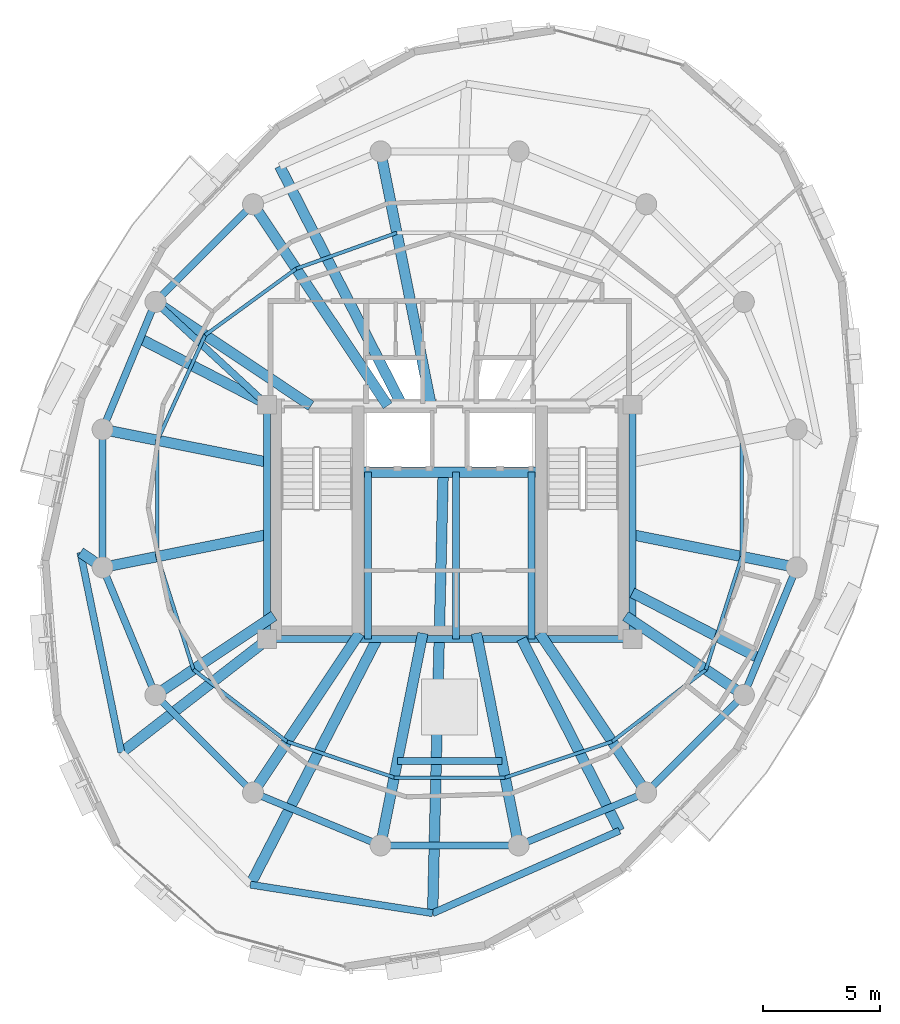
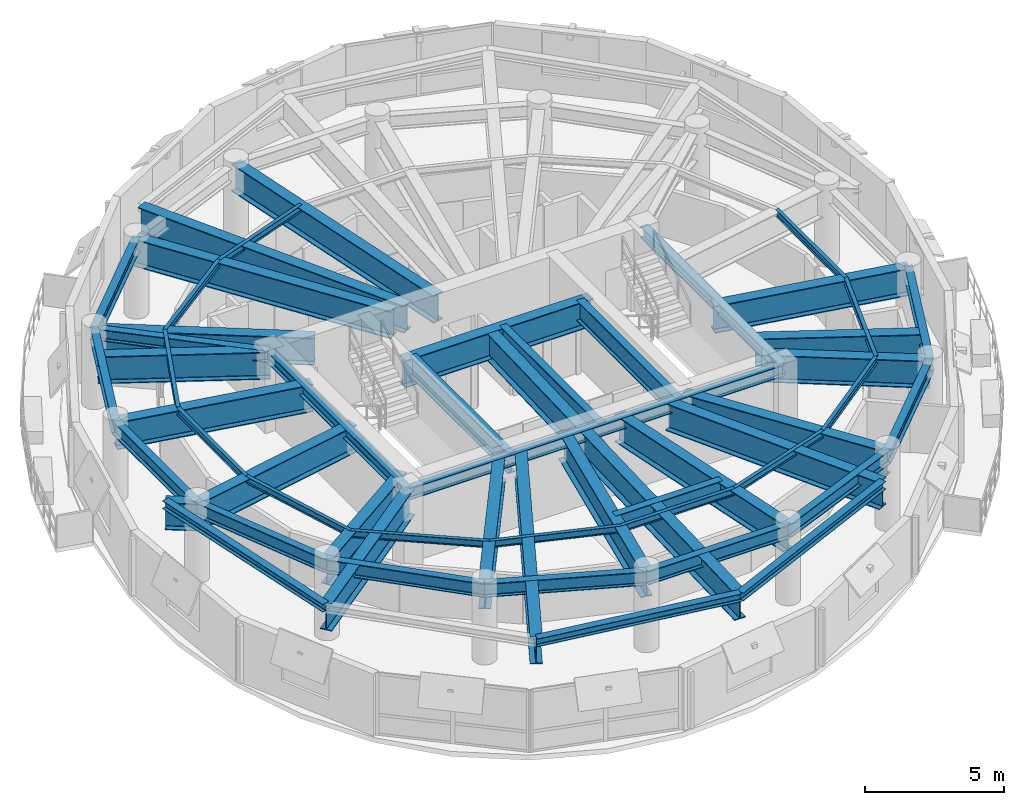
# One storey, part 3 of 11: 54 beams.
"""IFC4 building model written with IfcOpenShell, lengths in metres."""

from ifc_helpers import new_model, si_unit, direction, frame, origin, origin_2d, place, context, subcontext, project, spatial, i_section, extrude, material, material_profile, profile_set, type_object, element, save


model = new_model("IFC4")

# Units and contexts
model_context = context("Model", 3, precision=1e-05, world=origin(), true_north=direction((0.0, 1.0)))
body_context = subcontext(model_context, "Body", "Model", "MODEL_VIEW")
ifc_project = project(units=[si_unit("LENGTHUNIT", "METRE"), si_unit("AREAUNIT", "SQUARE_METRE"), si_unit("VOLUMEUNIT", "CUBIC_METRE"), si_unit("PLANEANGLEUNIT", "RADIAN"), si_unit("MASSUNIT", "GRAM", prefix="KILO"), si_unit("THERMODYNAMICTEMPERATUREUNIT", "KELVIN"), si_unit("POWERUNIT", "WATT")], contexts=[model_context])

# Site, building, storey
site_placement = place(None, origin())
site = spatial("IfcSite", under=ifc_project, at=site_placement, CompositionType="ELEMENT")
building_placement = place(site_placement, origin())
building = spatial("IfcBuilding", under=site, at=building_placement, Name="Ocrelia Relay Tower", CompositionType="ELEMENT")
storey_placement = place(building_placement, frame((0.0, 0.0, 284.39990234375)))
storey = spatial("IfcBuildingStorey", under=building, at=storey_placement, Name="L71", CompositionType="ELEMENT", Elevation=284.39990234375)

# Beams
ifc_material = material(Name="Steel S355", Category="steel")
ifc_material_profile_1 = material_profile(ifc_material, i_section(OverallWidth=0.300048828125, OverallDepth=0.35009765625, WebThickness=0.010009765625, FlangeThickness=0.017578125, FilletRadius=0.027099609375, at=origin_2d()), Name="HEA 360")
ifc_profile_set_1 = profile_set([ifc_material_profile_1], Name="Steel S355")
beam_type_1 = type_object("IfcBeamType", Name="BM-HEA360", PredefinedType="SPANDREL", material=ifc_profile_set_1)
beam_1_placement = place(storey_placement, frame((18.240966796875, 23.6962890625, 3.175048828125), z_axis=(0.200512885634, -0.979691064925, 0.0), x_axis=(0.979691064925, 0.200512885634, 0.0)))
element("IfcBeam", 1, at=beam_1_placement, inside=storey, type_object=beam_type_1, Name="Crown Base Perimeter Ring Beam CBR05", PredefinedType="SPANDREL", context=body_context, shape_type="SweptSolid", body=[
    extrude(i_section(OverallWidth=0.300048828125, OverallDepth=0.35009765625, WebThickness=0.010009765625, FlangeThickness=0.017578125, FilletRadius=0.027099609375, at=origin_2d()), origin(), (0.0, 0.0, 1.0), 8.72021484375),
])
beam_2_placement = place(storey_placement, frame((25.4921875, 9.51611328125, 3.175048828125), z_axis=(0.987934500779, -0.15487227696, 0.0), x_axis=(0.15487227696, 0.987934500779, 0.0)))
element("IfcBeam", 2, at=beam_2_placement, inside=storey, type_object=beam_type_1, Name="Crown Base Perimeter Ring Beam CBR07", PredefinedType="SPANDREL", context=body_context, shape_type="SweptSolid", body=[
    extrude(i_section(OverallWidth=0.300048828125, OverallDepth=0.35009765625, WebThickness=0.010009765625, FlangeThickness=0.017578125, FilletRadius=0.027099609375, at=origin_2d()), origin(), (0.0, 0.0, 1.0), 7.877197265625),
])
beam_3_placement = place(storey_placement, frame((33.2744140625, 8.296142578125, 3.175048828125), z_axis=(0.9147224647, 0.404082680369, 0.0), x_axis=(-0.404082680369, 0.9147224647, 0.0)))
element("IfcBeam", 3, at=beam_3_placement, inside=storey, type_object=beam_type_1, Name="Crown Base Perimeter Ring Beam CBR08", PredefinedType="SPANDREL", context=body_context, shape_type="SweptSolid", body=[
    extrude(i_section(OverallWidth=0.300048828125, OverallDepth=0.35009765625, WebThickness=0.010009765625, FlangeThickness=0.017578125, FilletRadius=0.027099609375, at=origin_2d()), origin(), (0.0, 0.0, 1.0), 8.72021484375),
])
ifc_material_profile_2 = material_profile(ifc_material, i_section(OverallWidth=0.300048828125, OverallDepth=0.5, WebThickness=0.014404296875, FlangeThickness=0.028076171875, FilletRadius=0.027099609375, at=origin_2d()), Name="HEB 500")
ifc_profile_set_2 = profile_set([ifc_material_profile_2], Name="Steel S355")
beam_type_2 = type_object("IfcBeamType", Name="BM-HEB500", PredefinedType="BEAM", material=ifc_profile_set_2)
beam_4_placement = place(storey_placement, frame((26.199951171875, 20.0, 3.10009765625), z_axis=(1.0, 0.0, 0.0), x_axis=(0.0, 1.0, 0.0)))
element("IfcBeam", 4, at=beam_4_placement, inside=storey, type_object=beam_type_2, Name="L71 Core Pilaster Tie Beam S", PredefinedType="BEAM", context=body_context, shape_type="SweptSolid", body=[
    extrude(i_section(OverallWidth=0.300048828125, OverallDepth=0.5, WebThickness=0.014404296875, FlangeThickness=0.028076171875, FilletRadius=0.027099609375, at=origin_2d()), origin(), (0.0, 0.0, 1.0), 15.60009765625),
])
for number, where, z_axis, x_axis, name in (
    (5, (26.199951171875, 20.0, 3.10009765625), (0.0, 1.0, 0.0), (-1.0, 0.0, 0.0), "L71 Core Pilaster Tie Beam W"),
    (6, (41.800048828125, 20.0, 3.10009765625), (0.0, 1.0, 0.0), (-1.0, 0.0, 0.0), "L71 Core Pilaster Tie Beam E"),
):
    element("IfcBeam", number, at=place(storey_placement, frame(where, z_axis=z_axis, x_axis=x_axis)), inside=storey, type_object=beam_type_2, Name=name, PredefinedType="BEAM", context=body_context, shape_type="SweptSolid", body=[
        extrude(i_section(OverallWidth=0.300048828125, OverallDepth=0.5, WebThickness=0.014404296875, FlangeThickness=0.028076171875, FilletRadius=0.027099609375, at=origin_2d()), origin(), (0.0, 0.0, 1.0), 10.0),
    ])
beam_5_placement = place(storey_placement, frame((21.44482421875, 34.38916015625, 3.10009765625), z_axis=(0.734817908666, -0.678264433023, 0.0), x_axis=(0.678264433023, 0.734817908666, 0.0)))
element("IfcBeam", 7, at=beam_5_placement, inside=storey, type_object=beam_type_2, Name="L71 Core Pilaster Frame Tie Beam PT07", PredefinedType="BEAM", context=body_context, shape_type="SweptSolid", body=[
    extrude(i_section(OverallWidth=0.300048828125, OverallDepth=0.5, WebThickness=0.014404296875, FlangeThickness=0.028076171875, FilletRadius=0.027099609375, at=origin_2d()), origin(), (0.0, 0.0, 1.0), 6.47119140625),
])
ifc_material_profile_3 = material_profile(ifc_material, i_section(OverallWidth=0.300048828125, OverallDepth=0.550048828125, WebThickness=0.014892578125, FlangeThickness=0.029052734375, FilletRadius=0.027099609375, at=origin_2d()), Name="HEB 550")
ifc_profile_set_3 = profile_set([ifc_material_profile_3], Name="Steel S355")
beam_type_3 = type_object("IfcBeamType", Name="BM-HEB550", PredefinedType="BEAM", material=ifc_profile_set_3)
beam_6_placement = place(storey_placement, frame((31.772216796875, 14.800048828125, 3.0751953125), z_axis=(1.0, 0.0, 0.0), x_axis=(0.0, 1.0, 0.0)))
element("IfcBeam", 8, at=beam_6_placement, inside=storey, type_object=beam_type_3, Name="L71 Atrium South Trimmer Beam", PredefinedType="BEAM", context=body_context, shape_type="SweptSolid", body=[
    extrude(i_section(OverallWidth=0.300048828125, OverallDepth=0.550048828125, WebThickness=0.014892578125, FlangeThickness=0.029052734375, FilletRadius=0.027099609375, at=origin_2d()), origin(), (0.0, 0.0, 1.0), 4.45556640625),
])
ifc_material_profile_4 = material_profile(ifc_material, i_section(OverallWidth=0.300048828125, OverallDepth=0.60009765625, WebThickness=0.015380859375, FlangeThickness=0.030029296875, FilletRadius=0.027099609375, at=origin_2d()), Name="HEB 600")
ifc_profile_set_4 = profile_set([ifc_material_profile_4], Name="Steel S355")
beam_type_4 = type_object("IfcBeamType", Name="BM-HEB600", PredefinedType="BEAM", material=ifc_profile_set_4)
beam_7_placement = place(storey_placement, frame((25.61083984375, 38.55517578125, 3.050048828125), z_axis=(-0.707106781187, -0.707106781187, 0.0), x_axis=(0.707106781187, -0.707106781187, 0.0)))
element("IfcBeam", 9, at=beam_7_placement, inside=storey, type_object=beam_type_4, Name="L71 Perimeter Spandrel Beam S06", PredefinedType="BEAM", context=body_context, shape_type="SweptSolid", body=[
    extrude(i_section(OverallWidth=0.300048828125, OverallDepth=0.60009765625, WebThickness=0.015380859375, FlangeThickness=0.030029296875, FilletRadius=0.027099609375, at=origin_2d()), origin(), (0.0, 0.0, 1.0), 5.8916015625),
])
beam_8_placement = place(storey_placement, frame((21.44482421875, 34.38916015625, 3.050048828125), z_axis=(-0.382672624084, -0.923884009374, 0.0), x_axis=(0.923884009374, -0.382672624084, 0.0)))
element("IfcBeam", 10, at=beam_8_placement, inside=storey, type_object=beam_type_4, Name="L71 Perimeter Spandrel Beam S07", PredefinedType="BEAM", context=body_context, shape_type="SweptSolid", body=[
    extrude(i_section(OverallWidth=0.300048828125, OverallDepth=0.60009765625, WebThickness=0.015380859375, FlangeThickness=0.030029296875, FilletRadius=0.027099609375, at=origin_2d()), origin(), (0.0, 0.0, 1.0), 5.891845703125),
])
beam_9_placement = place(storey_placement, frame((19.190185546875, 28.94580078125, 3.050048828125), z_axis=(0.0, -1.0, 0.0), x_axis=(1.0, 0.0, 0.0)))
element("IfcBeam", 11, at=beam_9_placement, inside=storey, type_object=beam_type_4, Name="L71 Perimeter Spandrel Beam S08", PredefinedType="BEAM", context=body_context, shape_type="SweptSolid", body=[
    extrude(i_section(OverallWidth=0.300048828125, OverallDepth=0.60009765625, WebThickness=0.015380859375, FlangeThickness=0.030029296875, FilletRadius=0.027099609375, at=origin_2d()), origin(), (0.0, 0.0, 1.0), 5.8916015625),
])
beam_10_placement = place(storey_placement, frame((19.190185546875, 23.05419921875, 3.050048828125), z_axis=(0.382672624084, -0.923884009374, 0.0), x_axis=(0.923884009374, 0.382672624084, 0.0)))
element("IfcBeam", 12, at=beam_10_placement, inside=storey, type_object=beam_type_4, Name="L71 Perimeter Spandrel Beam S09", PredefinedType="BEAM", context=body_context, shape_type="SweptSolid", body=[
    extrude(i_section(OverallWidth=0.300048828125, OverallDepth=0.60009765625, WebThickness=0.015380859375, FlangeThickness=0.030029296875, FilletRadius=0.027099609375, at=origin_2d()), origin(), (0.0, 0.0, 1.0), 5.891845703125),
])
beam_11_placement = place(storey_placement, frame((21.44482421875, 17.61083984375, 3.050048828125), z_axis=(0.707106781187, -0.707106781187, 0.0), x_axis=(0.707106781187, 0.707106781187, 0.0)))
element("IfcBeam", 13, at=beam_11_placement, inside=storey, type_object=beam_type_4, Name="L71 Perimeter Spandrel Beam S10", PredefinedType="BEAM", context=body_context, shape_type="SweptSolid", body=[
    extrude(i_section(OverallWidth=0.300048828125, OverallDepth=0.60009765625, WebThickness=0.015380859375, FlangeThickness=0.030029296875, FilletRadius=0.027099609375, at=origin_2d()), origin(), (0.0, 0.0, 1.0), 5.8916015625),
])
beam_12_placement = place(storey_placement, frame((25.61083984375, 13.44482421875, 3.050048828125), z_axis=(0.923884009374, -0.382672624084, 0.0), x_axis=(0.382672624084, 0.923884009374, 0.0)))
element("IfcBeam", 14, at=beam_12_placement, inside=storey, type_object=beam_type_4, Name="L71 Perimeter Spandrel Beam S11", PredefinedType="BEAM", context=body_context, shape_type="SweptSolid", body=[
    extrude(i_section(OverallWidth=0.300048828125, OverallDepth=0.60009765625, WebThickness=0.015380859375, FlangeThickness=0.030029296875, FilletRadius=0.027099609375, at=origin_2d()), origin(), (0.0, 0.0, 1.0), 5.891845703125),
])
beam_13_placement = place(storey_placement, frame((31.05419921875, 11.190185546875, 3.050048828125), z_axis=(1.0, 0.0, 0.0), x_axis=(0.0, 1.0, 0.0)))
element("IfcBeam", 15, at=beam_13_placement, inside=storey, type_object=beam_type_4, Name="L71 Perimeter Spandrel Beam S12", PredefinedType="BEAM", context=body_context, shape_type="SweptSolid", body=[
    extrude(i_section(OverallWidth=0.300048828125, OverallDepth=0.60009765625, WebThickness=0.015380859375, FlangeThickness=0.030029296875, FilletRadius=0.027099609375, at=origin_2d()), origin(), (0.0, 0.0, 1.0), 5.8916015625),
])
beam_14_placement = place(storey_placement, frame((36.94580078125, 11.190185546875, 3.050048828125), z_axis=(0.923884009374, 0.382672624084, 0.0), x_axis=(-0.382672624084, 0.923884009374, 0.0)))
element("IfcBeam", 16, at=beam_14_placement, inside=storey, type_object=beam_type_4, Name="L71 Perimeter Spandrel Beam S13", PredefinedType="BEAM", context=body_context, shape_type="SweptSolid", body=[
    extrude(i_section(OverallWidth=0.300048828125, OverallDepth=0.60009765625, WebThickness=0.015380859375, FlangeThickness=0.030029296875, FilletRadius=0.027099609375, at=origin_2d()), origin(), (0.0, 0.0, 1.0), 5.891845703125),
])
beam_15_placement = place(storey_placement, frame((42.38916015625, 13.44482421875, 3.050048828125), z_axis=(0.707106781187, 0.707106781187, 0.0), x_axis=(-0.707106781187, 0.707106781187, 0.0)))
element("IfcBeam", 17, at=beam_15_placement, inside=storey, type_object=beam_type_4, Name="L71 Perimeter Spandrel Beam S14", PredefinedType="BEAM", context=body_context, shape_type="SweptSolid", body=[
    extrude(i_section(OverallWidth=0.300048828125, OverallDepth=0.60009765625, WebThickness=0.015380859375, FlangeThickness=0.030029296875, FilletRadius=0.027099609375, at=origin_2d()), origin(), (0.0, 0.0, 1.0), 5.8916015625),
])
beam_16_placement = place(storey_placement, frame((46.55517578125, 17.61083984375, 3.050048828125), z_axis=(0.382672624084, 0.923884009374, 0.0), x_axis=(-0.923884009374, 0.382672624084, 0.0)))
element("IfcBeam", 18, at=beam_16_placement, inside=storey, type_object=beam_type_4, Name="L71 Perimeter Spandrel Beam S15", PredefinedType="BEAM", context=body_context, shape_type="SweptSolid", body=[
    extrude(i_section(OverallWidth=0.300048828125, OverallDepth=0.60009765625, WebThickness=0.015380859375, FlangeThickness=0.030029296875, FilletRadius=0.027099609375, at=origin_2d()), origin(), (0.0, 0.0, 1.0), 5.891845703125),
])
ifc_material_profile_5 = material_profile(ifc_material, i_section(OverallWidth=0.300048828125, OverallDepth=0.89990234375, WebThickness=0.0185546875, FlangeThickness=0.034912109375, FilletRadius=0.030029296875, at=origin_2d()), Name="HEB 900")
ifc_profile_set_5 = profile_set([ifc_material_profile_5], Name="Steel S355")
beam_type_5 = type_object("IfcBeamType", Name="BM-HEB900", PredefinedType="BEAM", material=ifc_profile_set_5)
for number, where, z_axis, x_axis, name in (
    (19, (30.514892578125, 20.0, 2.900146484375), (0.0, 1.0, 0.0), (-1.0, 0.0, 0.0), "L71 Crown Stair Tie Girder W4"),
    (20, (34.27490234375, 20.0, 2.900146484375), (0.0, 1.0, 0.0), (-1.0, 0.0, 0.0), "L71 Crown Stair Tie Girder W5"),
    (21, (37.485107421875, 20.0, 2.900146484375), (0.0, 1.0, 0.0), (-1.0, 0.0, 0.0), "L71 Crown Stair Tie Girder E5"),
):
    element("IfcBeam", number, at=place(storey_placement, frame(where, z_axis=z_axis, x_axis=x_axis)), inside=storey, type_object=beam_type_5, Name=name, PredefinedType="BEAM", context=body_context, shape_type="SweptSolid", body=[
        extrude(i_section(OverallWidth=0.300048828125, OverallDepth=0.89990234375, WebThickness=0.0185546875, FlangeThickness=0.034912109375, FilletRadius=0.030029296875, at=origin_2d()), origin(), (0.0, 0.0, 1.0), 7.1201171875),
    ])
ifc_material_profile_6 = material_profile(ifc_material, i_section(OverallWidth=0.14990234375, OverallDepth=0.300048828125, WebThickness=0.007080078125, FlangeThickness=0.0107421875, FilletRadius=0.014892578125, at=origin_2d()), Name="IPE 300")
ifc_profile_set_6 = profile_set([ifc_material_profile_6], Name="Steel S355")
beam_type_6 = type_object("IfcBeamType", Name="BM-IPE300", PredefinedType="JOIST", material=ifc_profile_set_6)
beam_17_placement = place(storey_placement, frame((31.7451171875, 37.336181640625, 3.2001953125), z_axis=(-0.94180245035, -0.336166840298, 0.0), x_axis=(0.336166840298, -0.94180245035, 0.0)))
element("IfcBeam", 22, at=beam_17_placement, inside=storey, type_object=beam_type_6, Name="L71 Secondary Floor Joist J05", PredefinedType="JOIST", context=body_context, shape_type="SweptSolid", body=[
    extrude(i_section(OverallWidth=0.14990234375, OverallDepth=0.300048828125, WebThickness=0.007080078125, FlangeThickness=0.0107421875, FilletRadius=0.014892578125, at=origin_2d()), origin(), (0.0, 0.0, 1.0), 4.560791015625),
])
beam_18_placement = place(storey_placement, frame((27.44970703125, 35.802978515625, 3.2001953125), z_axis=(-0.80774844416, -0.58952731146, 0.0), x_axis=(0.58952731146, -0.80774844416, 0.0)))
element("IfcBeam", 23, at=beam_18_placement, inside=storey, type_object=beam_type_6, Name="L71 Secondary Floor Joist J06", PredefinedType="JOIST", context=body_context, shape_type="SweptSolid", body=[
    extrude(i_section(OverallWidth=0.14990234375, OverallDepth=0.300048828125, WebThickness=0.007080078125, FlangeThickness=0.0107421875, FilletRadius=0.014892578125, at=origin_2d()), origin(), (0.0, 0.0, 1.0), 4.80517578125),
])
beam_19_placement = place(storey_placement, frame((23.568359375, 32.97021484375, 3.2001953125), z_axis=(-0.413205957462, -0.910637599003, 0.0), x_axis=(0.910637599003, -0.413205957462, 0.0)))
element("IfcBeam", 24, at=beam_19_placement, inside=storey, type_object=beam_type_6, Name="L71 Secondary Floor Joist J07", PredefinedType="JOIST", context=body_context, shape_type="SweptSolid", body=[
    extrude(i_section(OverallWidth=0.14990234375, OverallDepth=0.300048828125, WebThickness=0.007080078125, FlangeThickness=0.0107421875, FilletRadius=0.014892578125, at=origin_2d()), origin(), (0.0, 0.0, 1.0), 4.9306640625),
])
beam_20_placement = place(storey_placement, frame((21.531005859375, 28.480224609375, 3.2001953125), z_axis=(0.0, -1.0, 0.0), x_axis=(1.0, 0.0, 0.0)))
element("IfcBeam", 25, at=beam_20_placement, inside=storey, type_object=beam_type_6, Name="L71 Secondary Floor Joist J08", PredefinedType="JOIST", context=body_context, shape_type="SweptSolid", body=[
    extrude(i_section(OverallWidth=0.14990234375, OverallDepth=0.300048828125, WebThickness=0.007080078125, FlangeThickness=0.0107421875, FilletRadius=0.014892578125, at=origin_2d()), origin(), (0.0, 0.0, 1.0), 4.96044921875),
])
beam_21_placement = place(storey_placement, frame((21.531005859375, 23.519775390625, 3.2001953125), z_axis=(0.302732054046, -0.953075707094, 0.0), x_axis=(0.953075707094, 0.302732054046, 0.0)))
element("IfcBeam", 26, at=beam_21_placement, inside=storey, type_object=beam_type_6, Name="L71 Secondary Floor Joist J09", PredefinedType="JOIST", context=body_context, shape_type="SweptSolid", body=[
    extrude(i_section(OverallWidth=0.14990234375, OverallDepth=0.300048828125, WebThickness=0.007080078125, FlangeThickness=0.0107421875, FilletRadius=0.014892578125, at=origin_2d()), origin(), (0.0, 0.0, 1.0), 5.064453125),
])
beam_22_placement = place(storey_placement, frame((23.064208984375, 18.69287109375, 3.2001953125), z_axis=(0.793147291367, -0.60902986314, 0.0), x_axis=(0.60902986314, 0.793147291367, 0.0)))
element("IfcBeam", 27, at=beam_22_placement, inside=storey, type_object=beam_type_6, Name="L71 Secondary Floor Joist J10", PredefinedType="JOIST", context=body_context, shape_type="SweptSolid", body=[
    extrude(i_section(OverallWidth=0.14990234375, OverallDepth=0.300048828125, WebThickness=0.007080078125, FlangeThickness=0.0107421875, FilletRadius=0.014892578125, at=origin_2d()), origin(), (0.0, 0.0, 1.0), 5.044189453125),
])
beam_23_placement = place(storey_placement, frame((27.06494140625, 15.620849609375, 3.2001953125), z_axis=(0.947976335242, -0.318340804519, 0.0), x_axis=(0.318340804519, 0.947976335242, 0.0)))
element("IfcBeam", 28, at=beam_23_placement, inside=storey, type_object=beam_type_6, Name="L71 Secondary Floor Joist J11", PredefinedType="JOIST", context=body_context, shape_type="SweptSolid", body=[
    extrude(i_section(OverallWidth=0.14990234375, OverallDepth=0.300048828125, WebThickness=0.007080078125, FlangeThickness=0.0107421875, FilletRadius=0.014892578125, at=origin_2d()), origin(), (0.0, 0.0, 1.0), 4.816162109375),
])
beam_24_placement = place(storey_placement, frame((31.630615234375, 14.087646484375, 3.2001953125), z_axis=(1.0, 0.0, 0.0), x_axis=(0.0, 1.0, 0.0)))
element("IfcBeam", 29, at=beam_24_placement, inside=storey, type_object=beam_type_6, Name="L71 Secondary Floor Joist J12", PredefinedType="JOIST", context=body_context, shape_type="SweptSolid", body=[
    extrude(i_section(OverallWidth=0.14990234375, OverallDepth=0.300048828125, WebThickness=0.007080078125, FlangeThickness=0.0107421875, FilletRadius=0.014892578125, at=origin_2d()), origin(), (0.0, 0.0, 1.0), 4.73876953125),
])
beam_25_placement = place(storey_placement, frame((36.369384765625, 14.087646484375, 3.2001953125), z_axis=(0.947976335242, 0.318340804519, 0.0), x_axis=(-0.318340804519, 0.947976335242, 0.0)))
element("IfcBeam", 30, at=beam_25_placement, inside=storey, type_object=beam_type_6, Name="L71 Secondary Floor Joist J13", PredefinedType="JOIST", context=body_context, shape_type="SweptSolid", body=[
    extrude(i_section(OverallWidth=0.14990234375, OverallDepth=0.300048828125, WebThickness=0.007080078125, FlangeThickness=0.0107421875, FilletRadius=0.014892578125, at=origin_2d()), origin(), (0.0, 0.0, 1.0), 4.816162109375),
])
beam_26_placement = place(storey_placement, frame((40.93505859375, 15.620849609375, 3.2001953125), z_axis=(0.793608697717, 0.608428496134, 0.0), x_axis=(-0.608428496134, 0.793608697717, 0.0)))
element("IfcBeam", 31, at=beam_26_placement, inside=storey, type_object=beam_type_6, Name="L71 Secondary Floor Joist J14", PredefinedType="JOIST", context=body_context, shape_type="SweptSolid", body=[
    extrude(i_section(OverallWidth=0.14990234375, OverallDepth=0.300048828125, WebThickness=0.007080078125, FlangeThickness=0.0107421875, FilletRadius=0.014892578125, at=origin_2d()), origin(), (0.0, 0.0, 1.0), 5.04541015625),
])
beam_27_placement = place(storey_placement, frame((44.939208984375, 18.690673828125, 3.2001953125), z_axis=(0.302648624063, 0.953102203519, 0.0), x_axis=(-0.953102203519, 0.302648624063, 0.0)))
element("IfcBeam", 32, at=beam_27_placement, inside=storey, type_object=beam_type_6, Name="L71 Secondary Floor Joist J15", PredefinedType="JOIST", context=body_context, shape_type="SweptSolid", body=[
    extrude(i_section(OverallWidth=0.14990234375, OverallDepth=0.300048828125, WebThickness=0.007080078125, FlangeThickness=0.0107421875, FilletRadius=0.014892578125, at=origin_2d()), origin(), (0.0, 0.0, 1.0), 5.06591796875),
])
beam_28_placement = place(storey_placement, frame((46.472412109375, 23.51904296875, 3.2001953125), z_axis=(0.0, 1.0, 0.0), x_axis=(-1.0, 0.0, 0.0)))
element("IfcBeam", 33, at=beam_28_placement, inside=storey, type_object=beam_type_6, Name="L71 Secondary Floor Joist J16", PredefinedType="JOIST", context=body_context, shape_type="SweptSolid", body=[
    extrude(i_section(OverallWidth=0.14990234375, OverallDepth=0.300048828125, WebThickness=0.007080078125, FlangeThickness=0.0107421875, FilletRadius=0.014892578125, at=origin_2d()), origin(), (0.0, 0.0, 1.0), 4.9619140625),
])
ifc_material_profile_7 = material_profile(ifc_material, i_section(OverallWidth=0.449951171875, OverallDepth=1.199951171875, WebThickness=0.02392578125, FlangeThickness=0.035888671875, FilletRadius=0.02001953125, at=origin_2d()), Name="WPG 1200x450")
ifc_profile_set_7 = profile_set([ifc_material_profile_7], Name="Steel S355")
beam_type_7 = type_object("IfcBeamType", Name="BM-WPG1200", PredefinedType="T_BEAM", material=ifc_profile_set_7)
beam_29_placement = place(storey_placement, frame((31.05419921875, 40.809814453125, 2.75), z_axis=(0.195093658495, -0.98078461673, 0.0), x_axis=(0.98078461673, 0.195093658495, 0.0)))
element("IfcBeam", 34, at=beam_29_placement, inside=storey, type_object=beam_type_7, Name="L71 Radial Transfer Girder R05", PredefinedType="T_BEAM", context=body_context, shape_type="SweptSolid", body=[
    extrude(i_section(OverallWidth=0.449951171875, OverallDepth=1.199951171875, WebThickness=0.02392578125, FlangeThickness=0.035888671875, FilletRadius=0.02001953125, at=origin_2d()), origin(), (0.0, 0.0, 1.0), 11.0673828125),
])
beam_30_placement = place(storey_placement, frame((25.61083984375, 38.55517578125, 2.75), z_axis=(0.555582296999, -0.831461551283, 0.0), x_axis=(0.831461551283, 0.555582296999, 0.0)))
element("IfcBeam", 35, at=beam_30_placement, inside=storey, type_object=beam_type_7, Name="L71 Radial Transfer Girder R06", PredefinedType="T_BEAM", context=body_context, shape_type="SweptSolid", body=[
    extrude(i_section(OverallWidth=0.449951171875, OverallDepth=1.199951171875, WebThickness=0.02392578125, FlangeThickness=0.035888671875, FilletRadius=0.02001953125, at=origin_2d()), origin(), (0.0, 0.0, 1.0), 10.34326171875),
])
beam_31_placement = place(storey_placement, frame((21.44482421875, 34.38916015625, 2.75), z_axis=(0.83146627118, -0.555575233331, 0.0), x_axis=(0.555575233331, 0.83146627118, 0.0)))
element("IfcBeam", 36, at=beam_31_placement, inside=storey, type_object=beam_type_7, Name="L71 Radial Transfer Girder R07", PredefinedType="T_BEAM", context=body_context, shape_type="SweptSolid", body=[
    extrude(i_section(OverallWidth=0.449951171875, OverallDepth=1.199951171875, WebThickness=0.02392578125, FlangeThickness=0.035888671875, FilletRadius=0.02001953125, at=origin_2d()), origin(), (0.0, 0.0, 1.0), 7.98095703125),
])
for number, where, z_axis, x_axis, name in (
    (37, (19.190185546875, 28.94580078125, 2.75), (0.980789122594, -0.195071005024, 0.0), (0.195071005024, 0.980789122594, 0.0), "L71 Radial Transfer Girder R08"),
    (38, (19.190185546875, 23.05419921875, 2.75), (0.980789122594, 0.195071005024, 0.0), (-0.195071005024, 0.980789122594, 0.0), "L71 Radial Transfer Girder R09"),
):
    element("IfcBeam", number, at=place(storey_placement, frame(where, z_axis=z_axis, x_axis=x_axis)), inside=storey, type_object=beam_type_7, Name=name, PredefinedType="T_BEAM", context=body_context, shape_type="SweptSolid", body=[
        extrude(i_section(OverallWidth=0.449951171875, OverallDepth=1.199951171875, WebThickness=0.02392578125, FlangeThickness=0.035888671875, FilletRadius=0.02001953125, at=origin_2d()), origin(), (0.0, 0.0, 1.0), 7.4580078125),
    ])
beam_32_placement = place(storey_placement, frame((21.44482421875, 17.61083984375, 2.75), z_axis=(0.831463505153, 0.555579372906, 0.0), x_axis=(-0.555579372906, 0.831463505153, 0.0)))
element("IfcBeam", 39, at=beam_32_placement, inside=storey, type_object=beam_type_7, Name="L71 Radial Transfer Girder R10", PredefinedType="T_BEAM", context=body_context, shape_type="SweptSolid", body=[
    extrude(i_section(OverallWidth=0.449951171875, OverallDepth=1.199951171875, WebThickness=0.02392578125, FlangeThickness=0.035888671875, FilletRadius=0.02001953125, at=origin_2d()), origin(), (0.0, 0.0, 1.0), 6.085693359375),
])
beam_33_placement = place(storey_placement, frame((25.61083984375, 13.44482421875, 2.75), z_axis=(0.555560991962, 0.831475786906, 0.0), x_axis=(-0.831475786906, 0.555560991962, 0.0)))
element("IfcBeam", 40, at=beam_33_placement, inside=storey, type_object=beam_type_7, Name="L71 Radial Transfer Girder R11", PredefinedType="T_BEAM", context=body_context, shape_type="SweptSolid", body=[
    extrude(i_section(OverallWidth=0.449951171875, OverallDepth=1.199951171875, WebThickness=0.02392578125, FlangeThickness=0.035888671875, FilletRadius=0.02001953125, at=origin_2d()), origin(), (0.0, 0.0, 1.0), 8.178466796875),
])
for number, where, z_axis, x_axis, name in (
    (41, (31.05419921875, 11.190185546875, 2.75), (0.195078600472, 0.98078761189, 0.0), (-0.98078761189, 0.195078600472, 0.0), "L71 Radial Transfer Girder R12"),
    (42, (36.94580078125, 11.190185546875, 2.75), (-0.195078600472, 0.98078761189, 0.0), (-0.98078761189, -0.195078600472, 0.0), "L71 Radial Transfer Girder R13"),
):
    element("IfcBeam", number, at=place(storey_placement, frame(where, z_axis=z_axis, x_axis=x_axis)), inside=storey, type_object=beam_type_7, Name=name, PredefinedType="T_BEAM", context=body_context, shape_type="SweptSolid", body=[
        extrude(i_section(OverallWidth=0.449951171875, OverallDepth=1.199951171875, WebThickness=0.02392578125, FlangeThickness=0.035888671875, FilletRadius=0.02001953125, at=origin_2d()), origin(), (0.0, 0.0, 1.0), 9.232421875),
    ])
beam_34_placement = place(storey_placement, frame((42.38916015625, 13.44482421875, 2.75), z_axis=(-0.555560991962, 0.831475786906, 0.0), x_axis=(-0.831475786906, -0.555560991962, 0.0)))
element("IfcBeam", 43, at=beam_34_placement, inside=storey, type_object=beam_type_7, Name="L71 Radial Transfer Girder R14", PredefinedType="T_BEAM", context=body_context, shape_type="SweptSolid", body=[
    extrude(i_section(OverallWidth=0.449951171875, OverallDepth=1.199951171875, WebThickness=0.02392578125, FlangeThickness=0.035888671875, FilletRadius=0.02001953125, at=origin_2d()), origin(), (0.0, 0.0, 1.0), 8.178466796875),
])
beam_35_placement = place(storey_placement, frame((46.55517578125, 17.61083984375, 2.75), z_axis=(-0.831468559595, 0.555571808504, 0.0), x_axis=(-0.555571808504, -0.831468559595, 0.0)))
element("IfcBeam", 44, at=beam_35_placement, inside=storey, type_object=beam_type_7, Name="L71 Radial Transfer Girder R15", PredefinedType="T_BEAM", context=body_context, shape_type="SweptSolid", body=[
    extrude(i_section(OverallWidth=0.449951171875, OverallDepth=1.199951171875, WebThickness=0.02392578125, FlangeThickness=0.035888671875, FilletRadius=0.02001953125, at=origin_2d()), origin(), (0.0, 0.0, 1.0), 6.073974609375),
])
beam_36_placement = place(storey_placement, frame((48.809814453125, 23.05419921875, 2.75), z_axis=(-0.980789400571, 0.195069607393, 0.0), x_axis=(-0.195069607393, -0.980789400571, 0.0)))
element("IfcBeam", 45, at=beam_36_placement, inside=storey, type_object=beam_type_7, Name="L71 Radial Transfer Girder R16", PredefinedType="T_BEAM", context=body_context, shape_type="SweptSolid", body=[
    extrude(i_section(OverallWidth=0.449951171875, OverallDepth=1.199951171875, WebThickness=0.02392578125, FlangeThickness=0.035888671875, FilletRadius=0.02001953125, at=origin_2d()), origin(), (0.0, 0.0, 1.0), 7.447998046875),
])
beam_37_placement = place(storey_placement, frame((30.087890625, 27.1201171875, 2.75), z_axis=(1.0, 0.0, 0.0), x_axis=(0.0, 1.0, 0.0)))
element("IfcBeam", 46, at=beam_37_placement, inside=storey, type_object=beam_type_7, Name="L71 Crown Stair Core Transfer Girder N", PredefinedType="T_BEAM", context=body_context, shape_type="SweptSolid", body=[
    extrude(i_section(OverallWidth=0.449951171875, OverallDepth=1.199951171875, WebThickness=0.02392578125, FlangeThickness=0.035888671875, FilletRadius=0.02001953125, at=origin_2d()), origin(), (0.0, 0.0, 1.0), 7.834228515625),
])
beam_38_placement = place(storey_placement, frame((26.7490234375, 40.18017578125, 2.75), z_axis=(0.455275082357, -0.890350829384, 0.0), x_axis=(0.890350829384, 0.455275082357, 0.0)))
element("IfcBeam", 47, at=beam_38_placement, inside=storey, type_object=beam_type_7, Name="Crown Base Radial Transfer Girder CB03", PredefinedType="T_BEAM", context=body_context, shape_type="SweptSolid", body=[
    extrude(i_section(OverallWidth=0.449951171875, OverallDepth=1.199951171875, WebThickness=0.02392578125, FlangeThickness=0.035888671875, FilletRadius=0.02001953125, at=origin_2d()), origin(), (0.0, 0.0, 1.0), 11.433837890625),
])
beam_39_placement = place(storey_placement, frame((20.715087890625, 32.856689453125, 2.75), z_axis=(0.888623233637, -0.458637927607, 0.0), x_axis=(0.458637927607, 0.888623233637, 0.0)))
element("IfcBeam", 48, at=beam_39_placement, inside=storey, type_object=beam_type_7, Name="Crown Base Radial Transfer Girder CB04", PredefinedType="T_BEAM", context=body_context, shape_type="SweptSolid", body=[
    extrude(i_section(OverallWidth=0.449951171875, OverallDepth=1.199951171875, WebThickness=0.02392578125, FlangeThickness=0.035888671875, FilletRadius=0.02001953125, at=origin_2d()), origin(), (0.0, 0.0, 1.0), 6.228515625),
])
beam_40_placement = place(storey_placement, frame((19.190185546875, 23.05419921875, 2.75), z_axis=(-0.828295044744, 0.560292172756, 0.0), x_axis=(-0.560292172756, -0.828295044744, 0.0)))
element("IfcBeam", 49, at=beam_40_placement, inside=storey, type_object=beam_type_7, Name="Crown Base Column Bracket Girder CB05", PredefinedType="T_BEAM", context=body_context, shape_type="SweptSolid", body=[
    extrude(i_section(OverallWidth=0.449951171875, OverallDepth=1.199951171875, WebThickness=0.02392578125, FlangeThickness=0.035888671875, FilletRadius=0.02001953125, at=origin_2d()), origin(), (0.0, 0.0, 1.0), 1.14599609375),
])
beam_41_placement = place(storey_placement, frame((19.989501953125, 15.153076171875, 2.75), z_axis=(0.790718411156, 0.612180034188, 0.0), x_axis=(-0.612180034188, 0.790718411156, 0.0)))
element("IfcBeam", 50, at=beam_41_placement, inside=storey, type_object=beam_type_7, Name="Crown Base Radial Transfer Girder CB06", PredefinedType="T_BEAM", context=body_context, shape_type="SweptSolid", body=[
    extrude(i_section(OverallWidth=0.449951171875, OverallDepth=1.199951171875, WebThickness=0.02392578125, FlangeThickness=0.035888671875, FilletRadius=0.02001953125, at=origin_2d()), origin(), (0.0, 0.0, 1.0), 7.91748046875),
])
beam_42_placement = place(storey_placement, frame((25.4921875, 9.51611328125, 2.75), z_axis=(0.458649245114, 0.888617392333, 0.0), x_axis=(-0.888617392333, 0.458649245114, 0.0)))
element("IfcBeam", 51, at=beam_42_placement, inside=storey, type_object=beam_type_7, Name="Crown Base Radial Transfer Girder CB07", PredefinedType="T_BEAM", context=body_context, shape_type="SweptSolid", body=[
    extrude(i_section(OverallWidth=0.449951171875, OverallDepth=1.199951171875, WebThickness=0.02392578125, FlangeThickness=0.035888671875, FilletRadius=0.02001953125, at=origin_2d()), origin(), (0.0, 0.0, 1.0), 11.798095703125),
])
beam_43_placement = place(storey_placement, frame((33.2744140625, 8.296142578125, 2.75), z_axis=(0.023935140603, 0.999713513485, 0.0), x_axis=(-0.999713513485, 0.023935140603, 0.0)))
element("IfcBeam", 52, at=beam_43_placement, inside=storey, type_object=beam_type_7, Name="Crown Base Radial Transfer Girder CB08", PredefinedType="T_BEAM", context=body_context, shape_type="SweptSolid", body=[
    extrude(i_section(OverallWidth=0.449951171875, OverallDepth=1.199951171875, WebThickness=0.02392578125, FlangeThickness=0.035888671875, FilletRadius=0.02001953125, at=origin_2d()), origin(), (0.0, 0.0, 1.0), 18.829345703125),
])
beam_44_placement = place(storey_placement, frame((41.2509765625, 11.81982421875, 2.75), z_axis=(-0.455273517309, 0.890351629659, 0.0), x_axis=(-0.890351629659, -0.455273517309, 0.0)))
element("IfcBeam", 53, at=beam_44_placement, inside=storey, type_object=beam_type_7, Name="Crown Base Radial Transfer Girder CB09", PredefinedType="T_BEAM", context=body_context, shape_type="SweptSolid", body=[
    extrude(i_section(OverallWidth=0.449951171875, OverallDepth=1.199951171875, WebThickness=0.02392578125, FlangeThickness=0.035888671875, FilletRadius=0.02001953125, at=origin_2d()), origin(), (0.0, 0.0, 1.0), 9.1875),
])
beam_45_placement = place(storey_placement, frame((47.284912109375, 19.143310546875, 2.75), z_axis=(-0.888626377243, 0.458631836737, 0.0), x_axis=(-0.458631836737, -0.888626377243, 0.0)))
element("IfcBeam", 54, at=beam_45_placement, inside=storey, type_object=beam_type_7, Name="Crown Base Radial Transfer Girder CB10", PredefinedType="T_BEAM", context=body_context, shape_type="SweptSolid", body=[
    extrude(i_section(OverallWidth=0.449951171875, OverallDepth=1.199951171875, WebThickness=0.02392578125, FlangeThickness=0.035888671875, FilletRadius=0.02001953125, at=origin_2d()), origin(), (0.0, 0.0, 1.0), 6.17236328125),
])

save(model, "model.ifc")
